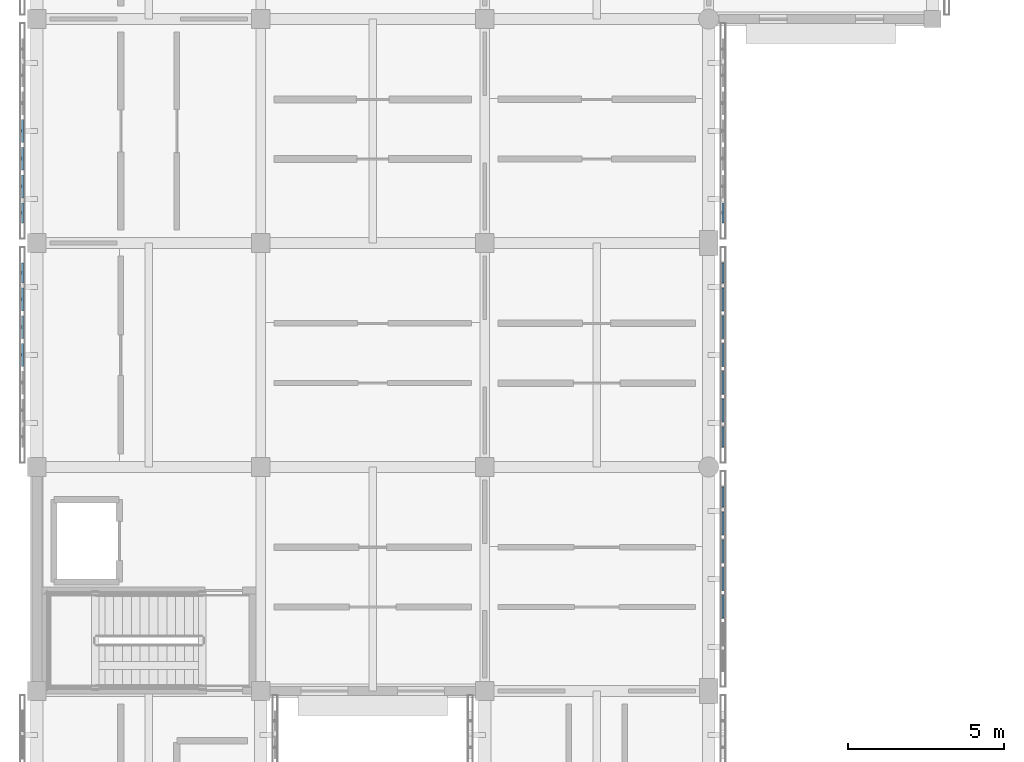
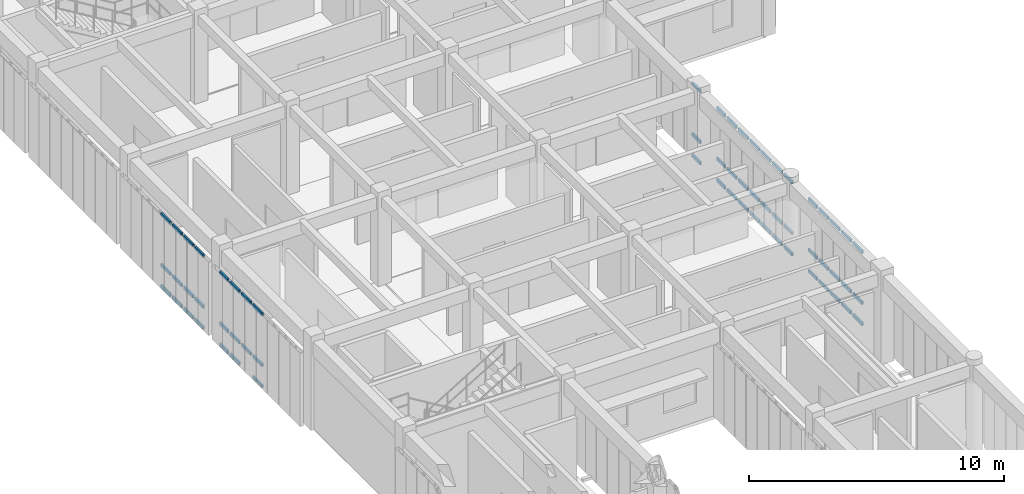
# One storey, part 74 of 171: 62 members, 5 elements without a shape of their own.
"""IFC4 building model written with IfcOpenShell, lengths in metres."""

from ifc_helpers import new_model, si_unit, direction, frame, origin, origin_2d, place, context, subcontext, project, spatial, hollow_rectangle, extrude, material, material_profile, profile_set, type_object, element, aggregate, save


model = new_model("IFC4")

# Units and contexts
model_context = context("Model", 3, precision=1e-05, world=origin(), true_north=direction((0.0, 1.0)))
body_context = subcontext(model_context, "Body", "Model", "MODEL_VIEW")
ifc_project = project(units=[si_unit("LENGTHUNIT", "METRE"), si_unit("AREAUNIT", "SQUARE_METRE"), si_unit("VOLUMEUNIT", "CUBIC_METRE"), si_unit("PLANEANGLEUNIT", "RADIAN"), si_unit("MASSUNIT", "GRAM", prefix="KILO")], contexts=[model_context])

# Site, building, storey
site_placement = place(None, origin())
site = spatial("IfcSite", under=ifc_project, at=site_placement, CompositionType="ELEMENT")
building_placement = place(site_placement, origin())
building = spatial("IfcBuilding", under=site, at=building_placement, Name="Aldebral Square Health Centre", CompositionType="ELEMENT")
storey_placement = place(building_placement, frame((0.0, 0.0, 4.5)))
storey = spatial("IfcBuildingStorey", under=building, at=storey_placement, Name="L01", CompositionType="ELEMENT", Elevation=4.5)

# Curtain wall, members
ifc_material_1 = material(Name="Aluminium and low-E solar glass", Category="aluminium")
curtain_wall_type = type_object("IfcCurtainWallType", Name="CW-FIN-SYS", PredefinedType="USERDEFINED", material=ifc_material_1)
curtain_wall_1_placement = place(storey_placement, origin())
curtain_wall_1 = element("IfcCurtainWall", 1, at=curtain_wall_1_placement, inside=storey, type_object=curtain_wall_type, Name="L01 V6 finned curtain wall L01-V6-00-05-W", ObjectType="SOLAR_CURTAIN_WALL", PredefinedType="USERDEFINED")
ifc_material_2 = material(Name="Anodised aluminium transom", Category="aluminium")
ifc_material_profile = material_profile(ifc_material_2, hollow_rectangle(XDim=0.074951171875, YDim=0.14990234375, WallThickness=0.00390625, at=origin_2d()), Name="CWT 75x150x4")
ifc_profile_set = profile_set([ifc_material_profile], Name="Anodised aluminium transom")
member_type = type_object("IfcMemberType", Name="CWT-STD", PredefinedType="USERDEFINED", material=ifc_profile_set)
member_1_placement = place(storey_placement, frame((-0.4599609375, 42.56005859375, 0.03759765625), z_axis=(0.0, -1.0, 0.0), x_axis=(1.0, 0.0, 0.0)))
member_1 = element("IfcMember", 2, at=member_1_placement, type_object=member_type, Name="CW1 transom 1.1", ObjectType="TRANSOM", PredefinedType="USERDEFINED", context=body_context, shape_type="SweptSolid", body=[
    extrude(hollow_rectangle(XDim=0.074951171875, YDim=0.14990234375, WallThickness=0.00390625, at=origin_2d()), origin(), (0.0, 0.0, 1.0), 0.6513671875),
])
member_2_placement = place(storey_placement, frame((-0.4599609375, 42.56005859375, 1.050048828125), z_axis=(0.0, -1.0, 0.0), x_axis=(1.0, 0.0, 0.0)))
member_2 = element("IfcMember", 3, at=member_2_placement, type_object=member_type, Name="CW1 transom 1.2", ObjectType="TRANSOM", PredefinedType="USERDEFINED", context=body_context, shape_type="SweptSolid", body=[
    extrude(hollow_rectangle(XDim=0.074951171875, YDim=0.14990234375, WallThickness=0.00390625, at=origin_2d()), origin(), (0.0, 0.0, 1.0), 0.6513671875),
])
member_3_placement = place(storey_placement, frame((-0.4599609375, 42.56005859375, 3.482421875), z_axis=(0.0, -1.0, 0.0), x_axis=(1.0, 0.0, 0.0)))
member_3 = element("IfcMember", 4, at=member_3_placement, type_object=member_type, Name="CW1 transom 1.3", ObjectType="TRANSOM", PredefinedType="USERDEFINED", context=body_context, shape_type="SweptSolid", body=[
    extrude(hollow_rectangle(XDim=0.074951171875, YDim=0.14990234375, WallThickness=0.00390625, at=origin_2d()), origin(), (0.0, 0.0, 1.0), 0.6513671875),
])
member_4_placement = place(storey_placement, frame((-0.4599609375, 41.74853515625, 0.03759765625), z_axis=(0.0, -1.0, 0.0), x_axis=(1.0, 0.0, 0.0)))
member_4 = element("IfcMember", 5, at=member_4_placement, type_object=member_type, Name="CW1 transom 2.1", ObjectType="TRANSOM", PredefinedType="USERDEFINED", context=body_context, shape_type="SweptSolid", body=[
    extrude(hollow_rectangle(XDim=0.074951171875, YDim=0.14990234375, WallThickness=0.00390625, at=origin_2d()), origin(), (0.0, 0.0, 1.0), 0.7314453125),
])
member_5_placement = place(storey_placement, frame((-0.4599609375, 41.74853515625, 1.050048828125), z_axis=(0.0, -1.0, 0.0), x_axis=(1.0, 0.0, 0.0)))
member_5 = element("IfcMember", 6, at=member_5_placement, type_object=member_type, Name="CW1 transom 2.2", ObjectType="TRANSOM", PredefinedType="USERDEFINED", context=body_context, shape_type="SweptSolid", body=[
    extrude(hollow_rectangle(XDim=0.074951171875, YDim=0.14990234375, WallThickness=0.00390625, at=origin_2d()), origin(), (0.0, 0.0, 1.0), 0.7314453125),
])
member_6_placement = place(storey_placement, frame((-0.4599609375, 41.74853515625, 3.482421875), z_axis=(0.0, -1.0, 0.0), x_axis=(1.0, 0.0, 0.0)))
member_6 = element("IfcMember", 7, at=member_6_placement, type_object=member_type, Name="CW1 transom 2.3", ObjectType="TRANSOM", PredefinedType="USERDEFINED", context=body_context, shape_type="SweptSolid", body=[
    extrude(hollow_rectangle(XDim=0.074951171875, YDim=0.14990234375, WallThickness=0.00390625, at=origin_2d()), origin(), (0.0, 0.0, 1.0), 0.7314453125),
])
member_7_placement = place(storey_placement, frame((-0.4599609375, 40.857177734375, 1.050048828125), z_axis=(0.0, -1.0, 0.0), x_axis=(1.0, 0.0, 0.0)))
member_7 = element("IfcMember", 8, at=member_7_placement, type_object=member_type, Name="CW1 transom 3.2", ObjectType="TRANSOM", PredefinedType="USERDEFINED", context=body_context, shape_type="SweptSolid", body=[
    extrude(hollow_rectangle(XDim=0.074951171875, YDim=0.14990234375, WallThickness=0.00390625, at=origin_2d()), origin(), (0.0, 0.0, 1.0), 0.7314453125),
])
member_8_placement = place(storey_placement, frame((-0.4599609375, 40.857177734375, 3.482421875), z_axis=(0.0, -1.0, 0.0), x_axis=(1.0, 0.0, 0.0)))
member_8 = element("IfcMember", 9, at=member_8_placement, type_object=member_type, Name="CW1 transom 3.3", ObjectType="TRANSOM", PredefinedType="USERDEFINED", context=body_context, shape_type="SweptSolid", body=[
    extrude(hollow_rectangle(XDim=0.074951171875, YDim=0.14990234375, WallThickness=0.00390625, at=origin_2d()), origin(), (0.0, 0.0, 1.0), 0.7314453125),
])
member_9_placement = place(storey_placement, frame((-0.4599609375, 39.9658203125, 0.03759765625), z_axis=(0.0, -1.0, 0.0), x_axis=(1.0, 0.0, 0.0)))
member_9 = element("IfcMember", 10, at=member_9_placement, type_object=member_type, Name="CW1 transom 4.1", ObjectType="TRANSOM", PredefinedType="USERDEFINED", context=body_context, shape_type="SweptSolid", body=[
    extrude(hollow_rectangle(XDim=0.074951171875, YDim=0.14990234375, WallThickness=0.00390625, at=origin_2d()), origin(), (0.0, 0.0, 1.0), 0.7314453125),
])
member_10_placement = place(storey_placement, frame((-0.4599609375, 39.9658203125, 1.050048828125), z_axis=(0.0, -1.0, 0.0), x_axis=(1.0, 0.0, 0.0)))
member_10 = element("IfcMember", 11, at=member_10_placement, type_object=member_type, Name="CW1 transom 4.2", ObjectType="TRANSOM", PredefinedType="USERDEFINED", context=body_context, shape_type="SweptSolid", body=[
    extrude(hollow_rectangle(XDim=0.074951171875, YDim=0.14990234375, WallThickness=0.00390625, at=origin_2d()), origin(), (0.0, 0.0, 1.0), 0.7314453125),
])
member_11_placement = place(storey_placement, frame((-0.4599609375, 39.9658203125, 3.482421875), z_axis=(0.0, -1.0, 0.0), x_axis=(1.0, 0.0, 0.0)))
member_11 = element("IfcMember", 12, at=member_11_placement, type_object=member_type, Name="CW1 transom 4.3", ObjectType="TRANSOM", PredefinedType="USERDEFINED", context=body_context, shape_type="SweptSolid", body=[
    extrude(hollow_rectangle(XDim=0.074951171875, YDim=0.14990234375, WallThickness=0.00390625, at=origin_2d()), origin(), (0.0, 0.0, 1.0), 0.7314453125),
])
aggregate(curtain_wall_1, [member_1, member_2, member_3, member_4, member_5, member_6, member_7, member_8, member_9, member_10, member_11])

curtain_wall_2_placement = place(storey_placement, origin())
curtain_wall_2 = element("IfcCurtainWall", 13, at=curtain_wall_2_placement, inside=storey, type_object=curtain_wall_type, Name="L01 V6 finned curtain wall L01-V6-00-06-W", ObjectType="SOLAR_CURTAIN_WALL", PredefinedType="USERDEFINED")
member_12_placement = place(storey_placement, frame((-0.4599609375, 47.165771484375, 0.03759765625), z_axis=(0.0, -1.0, 0.0), x_axis=(1.0, 0.0, 0.0)))
member_12 = element("IfcMember", 14, at=member_12_placement, type_object=member_type, Name="CW1 transom 4.1", ObjectType="TRANSOM", PredefinedType="USERDEFINED", context=body_context, shape_type="SweptSolid", body=[
    extrude(hollow_rectangle(XDim=0.074951171875, YDim=0.14990234375, WallThickness=0.00390625, at=origin_2d()), origin(), (0.0, 0.0, 1.0), 0.7314453125),
])
member_13_placement = place(storey_placement, frame((-0.4599609375, 47.165771484375, 1.050048828125), z_axis=(0.0, -1.0, 0.0), x_axis=(1.0, 0.0, 0.0)))
member_13 = element("IfcMember", 15, at=member_13_placement, type_object=member_type, Name="CW1 transom 4.2", ObjectType="TRANSOM", PredefinedType="USERDEFINED", context=body_context, shape_type="SweptSolid", body=[
    extrude(hollow_rectangle(XDim=0.074951171875, YDim=0.14990234375, WallThickness=0.00390625, at=origin_2d()), origin(), (0.0, 0.0, 1.0), 0.7314453125),
])
member_14_placement = place(storey_placement, frame((-0.4599609375, 47.165771484375, 3.482421875), z_axis=(0.0, -1.0, 0.0), x_axis=(1.0, 0.0, 0.0)))
member_14 = element("IfcMember", 16, at=member_14_placement, type_object=member_type, Name="CW1 transom 4.3", ObjectType="TRANSOM", PredefinedType="USERDEFINED", context=body_context, shape_type="SweptSolid", body=[
    extrude(hollow_rectangle(XDim=0.074951171875, YDim=0.14990234375, WallThickness=0.00390625, at=origin_2d()), origin(), (0.0, 0.0, 1.0), 0.7314453125),
])
member_15_placement = place(storey_placement, frame((-0.4599609375, 46.274169921875, 0.03759765625), z_axis=(0.0, -1.0, 0.0), x_axis=(1.0, 0.0, 0.0)))
member_15 = element("IfcMember", 17, at=member_15_placement, type_object=member_type, Name="CW1 transom 5.1", ObjectType="TRANSOM", PredefinedType="USERDEFINED", context=body_context, shape_type="SweptSolid", body=[
    extrude(hollow_rectangle(XDim=0.074951171875, YDim=0.14990234375, WallThickness=0.00390625, at=origin_2d()), origin(), (0.0, 0.0, 1.0), 0.731201171875),
])
member_16_placement = place(storey_placement, frame((-0.4599609375, 46.274169921875, 1.050048828125), z_axis=(0.0, -1.0, 0.0), x_axis=(1.0, 0.0, 0.0)))
member_16 = element("IfcMember", 18, at=member_16_placement, type_object=member_type, Name="CW1 transom 5.2", ObjectType="TRANSOM", PredefinedType="USERDEFINED", context=body_context, shape_type="SweptSolid", body=[
    extrude(hollow_rectangle(XDim=0.074951171875, YDim=0.14990234375, WallThickness=0.00390625, at=origin_2d()), origin(), (0.0, 0.0, 1.0), 0.731201171875),
])
member_17_placement = place(storey_placement, frame((-0.4599609375, 46.274169921875, 3.482421875), z_axis=(0.0, -1.0, 0.0), x_axis=(1.0, 0.0, 0.0)))
member_17 = element("IfcMember", 19, at=member_17_placement, type_object=member_type, Name="CW1 transom 5.3", ObjectType="TRANSOM", PredefinedType="USERDEFINED", context=body_context, shape_type="SweptSolid", body=[
    extrude(hollow_rectangle(XDim=0.074951171875, YDim=0.14990234375, WallThickness=0.00390625, at=origin_2d()), origin(), (0.0, 0.0, 1.0), 0.731201171875),
])
member_18_placement = place(storey_placement, frame((-0.4599609375, 45.3828125, 0.03759765625), z_axis=(0.0, -1.0, 0.0), x_axis=(1.0, 0.0, 0.0)))
member_18 = element("IfcMember", 20, at=member_18_placement, type_object=member_type, Name="CW1 transom 6.1", ObjectType="TRANSOM", PredefinedType="USERDEFINED", context=body_context, shape_type="SweptSolid", body=[
    extrude(hollow_rectangle(XDim=0.074951171875, YDim=0.14990234375, WallThickness=0.00390625, at=origin_2d()), origin(), (0.0, 0.0, 1.0), 0.7314453125),
])
member_19_placement = place(storey_placement, frame((-0.4599609375, 45.3828125, 1.050048828125), z_axis=(0.0, -1.0, 0.0), x_axis=(1.0, 0.0, 0.0)))
member_19 = element("IfcMember", 21, at=member_19_placement, type_object=member_type, Name="CW1 transom 6.2", ObjectType="TRANSOM", PredefinedType="USERDEFINED", context=body_context, shape_type="SweptSolid", body=[
    extrude(hollow_rectangle(XDim=0.074951171875, YDim=0.14990234375, WallThickness=0.00390625, at=origin_2d()), origin(), (0.0, 0.0, 1.0), 0.7314453125),
])
member_20_placement = place(storey_placement, frame((-0.4599609375, 45.3828125, 3.482421875), z_axis=(0.0, -1.0, 0.0), x_axis=(1.0, 0.0, 0.0)))
member_20 = element("IfcMember", 22, at=member_20_placement, type_object=member_type, Name="CW1 transom 6.3", ObjectType="TRANSOM", PredefinedType="USERDEFINED", context=body_context, shape_type="SweptSolid", body=[
    extrude(hollow_rectangle(XDim=0.074951171875, YDim=0.14990234375, WallThickness=0.00390625, at=origin_2d()), origin(), (0.0, 0.0, 1.0), 0.7314453125),
])
member_21_placement = place(storey_placement, frame((-0.4599609375, 44.491455078125, 0.03759765625), z_axis=(0.0, -1.0, 0.0), x_axis=(1.0, 0.0, 0.0)))
member_21 = element("IfcMember", 23, at=member_21_placement, type_object=member_type, Name="CW1 transom 7.1", ObjectType="TRANSOM", PredefinedType="USERDEFINED", context=body_context, shape_type="SweptSolid", body=[
    extrude(hollow_rectangle(XDim=0.074951171875, YDim=0.14990234375, WallThickness=0.00390625, at=origin_2d()), origin(), (0.0, 0.0, 1.0), 0.6513671875),
])
member_22_placement = place(storey_placement, frame((-0.4599609375, 44.491455078125, 1.050048828125), z_axis=(0.0, -1.0, 0.0), x_axis=(1.0, 0.0, 0.0)))
member_22 = element("IfcMember", 24, at=member_22_placement, type_object=member_type, Name="CW1 transom 7.2", ObjectType="TRANSOM", PredefinedType="USERDEFINED", context=body_context, shape_type="SweptSolid", body=[
    extrude(hollow_rectangle(XDim=0.074951171875, YDim=0.14990234375, WallThickness=0.00390625, at=origin_2d()), origin(), (0.0, 0.0, 1.0), 0.6513671875),
])
member_23_placement = place(storey_placement, frame((-0.4599609375, 44.491455078125, 3.482421875), z_axis=(0.0, -1.0, 0.0), x_axis=(1.0, 0.0, 0.0)))
member_23 = element("IfcMember", 25, at=member_23_placement, type_object=member_type, Name="CW1 transom 7.3", ObjectType="TRANSOM", PredefinedType="USERDEFINED", context=body_context, shape_type="SweptSolid", body=[
    extrude(hollow_rectangle(XDim=0.074951171875, YDim=0.14990234375, WallThickness=0.00390625, at=origin_2d()), origin(), (0.0, 0.0, 1.0), 0.6513671875),
])
aggregate(curtain_wall_2, [member_12, member_13, member_14, member_15, member_16, member_17, member_18, member_19, member_20, member_21, member_22, member_23])

curtain_wall_3_placement = place(storey_placement, origin())
curtain_wall_3 = element("IfcCurtainWall", 26, at=curtain_wall_3_placement, inside=storey, type_object=curtain_wall_type, Name="L01 V6 finned curtain wall L01-V6-02-04-E", ObjectType="SOLAR_CURTAIN_WALL", PredefinedType="USERDEFINED")
member_24_placement = place(storey_placement, frame((22.06005859375, 31.142822265625, 0.03759765625), z_axis=(0.0, 1.0, 0.0), x_axis=(-1.0, 0.0, 0.0)))
member_24 = element("IfcMember", 27, at=member_24_placement, type_object=member_type, Name="CW1 transom 3.1", ObjectType="TRANSOM", PredefinedType="USERDEFINED", context=body_context, shape_type="SweptSolid", body=[
    extrude(hollow_rectangle(XDim=0.074951171875, YDim=0.14990234375, WallThickness=0.00390625, at=origin_2d()), origin(), (0.0, 0.0, 1.0), 0.7314453125),
])
member_25_placement = place(storey_placement, frame((22.06005859375, 31.142822265625, 1.050048828125), z_axis=(0.0, 1.0, 0.0), x_axis=(-1.0, 0.0, 0.0)))
member_25 = element("IfcMember", 28, at=member_25_placement, type_object=member_type, Name="CW1 transom 3.2", ObjectType="TRANSOM", PredefinedType="USERDEFINED", context=body_context, shape_type="SweptSolid", body=[
    extrude(hollow_rectangle(XDim=0.074951171875, YDim=0.14990234375, WallThickness=0.00390625, at=origin_2d()), origin(), (0.0, 0.0, 1.0), 0.7314453125),
])
member_26_placement = place(storey_placement, frame((22.06005859375, 31.142822265625, 3.482421875), z_axis=(0.0, 1.0, 0.0), x_axis=(-1.0, 0.0, 0.0)))
member_26 = element("IfcMember", 29, at=member_26_placement, type_object=member_type, Name="CW1 transom 3.3", ObjectType="TRANSOM", PredefinedType="USERDEFINED", context=body_context, shape_type="SweptSolid", body=[
    extrude(hollow_rectangle(XDim=0.074951171875, YDim=0.14990234375, WallThickness=0.00390625, at=origin_2d()), origin(), (0.0, 0.0, 1.0), 0.7314453125),
])
member_27_placement = place(storey_placement, frame((22.06005859375, 32.0341796875, 0.03759765625), z_axis=(0.0, 1.0, 0.0), x_axis=(-1.0, 0.0, 0.0)))
member_27 = element("IfcMember", 30, at=member_27_placement, type_object=member_type, Name="CW1 transom 4.1", ObjectType="TRANSOM", PredefinedType="USERDEFINED", context=body_context, shape_type="SweptSolid", body=[
    extrude(hollow_rectangle(XDim=0.074951171875, YDim=0.14990234375, WallThickness=0.00390625, at=origin_2d()), origin(), (0.0, 0.0, 1.0), 0.7314453125),
])
member_28_placement = place(storey_placement, frame((22.06005859375, 32.0341796875, 1.050048828125), z_axis=(0.0, 1.0, 0.0), x_axis=(-1.0, 0.0, 0.0)))
member_28 = element("IfcMember", 31, at=member_28_placement, type_object=member_type, Name="CW1 transom 4.2", ObjectType="TRANSOM", PredefinedType="USERDEFINED", context=body_context, shape_type="SweptSolid", body=[
    extrude(hollow_rectangle(XDim=0.074951171875, YDim=0.14990234375, WallThickness=0.00390625, at=origin_2d()), origin(), (0.0, 0.0, 1.0), 0.7314453125),
])
member_29_placement = place(storey_placement, frame((22.06005859375, 32.0341796875, 3.482421875), z_axis=(0.0, 1.0, 0.0), x_axis=(-1.0, 0.0, 0.0)))
member_29 = element("IfcMember", 32, at=member_29_placement, type_object=member_type, Name="CW1 transom 4.3", ObjectType="TRANSOM", PredefinedType="USERDEFINED", context=body_context, shape_type="SweptSolid", body=[
    extrude(hollow_rectangle(XDim=0.074951171875, YDim=0.14990234375, WallThickness=0.00390625, at=origin_2d()), origin(), (0.0, 0.0, 1.0), 0.7314453125),
])
member_30_placement = place(storey_placement, frame((22.06005859375, 32.92578125, 0.03759765625), z_axis=(0.0, 1.0, 0.0), x_axis=(-1.0, 0.0, 0.0)))
member_30 = element("IfcMember", 33, at=member_30_placement, type_object=member_type, Name="CW1 transom 5.1", ObjectType="TRANSOM", PredefinedType="USERDEFINED", context=body_context, shape_type="SweptSolid", body=[
    extrude(hollow_rectangle(XDim=0.074951171875, YDim=0.14990234375, WallThickness=0.00390625, at=origin_2d()), origin(), (0.0, 0.0, 1.0), 0.7314453125),
])
member_31_placement = place(storey_placement, frame((22.06005859375, 32.92578125, 1.050048828125), z_axis=(0.0, 1.0, 0.0), x_axis=(-1.0, 0.0, 0.0)))
member_31 = element("IfcMember", 34, at=member_31_placement, type_object=member_type, Name="CW1 transom 5.2", ObjectType="TRANSOM", PredefinedType="USERDEFINED", context=body_context, shape_type="SweptSolid", body=[
    extrude(hollow_rectangle(XDim=0.074951171875, YDim=0.14990234375, WallThickness=0.00390625, at=origin_2d()), origin(), (0.0, 0.0, 1.0), 0.7314453125),
])
member_32_placement = place(storey_placement, frame((22.06005859375, 32.92578125, 3.482421875), z_axis=(0.0, 1.0, 0.0), x_axis=(-1.0, 0.0, 0.0)))
member_32 = element("IfcMember", 35, at=member_32_placement, type_object=member_type, Name="CW1 transom 5.3", ObjectType="TRANSOM", PredefinedType="USERDEFINED", context=body_context, shape_type="SweptSolid", body=[
    extrude(hollow_rectangle(XDim=0.074951171875, YDim=0.14990234375, WallThickness=0.00390625, at=origin_2d()), origin(), (0.0, 0.0, 1.0), 0.7314453125),
])
member_33_placement = place(storey_placement, frame((22.06005859375, 33.817138671875, 0.03759765625), z_axis=(0.0, 1.0, 0.0), x_axis=(-1.0, 0.0, 0.0)))
member_33 = element("IfcMember", 36, at=member_33_placement, type_object=member_type, Name="CW1 transom 6.1", ObjectType="TRANSOM", PredefinedType="USERDEFINED", context=body_context, shape_type="SweptSolid", body=[
    extrude(hollow_rectangle(XDim=0.074951171875, YDim=0.14990234375, WallThickness=0.00390625, at=origin_2d()), origin(), (0.0, 0.0, 1.0), 0.7314453125),
])
member_34_placement = place(storey_placement, frame((22.06005859375, 33.817138671875, 1.050048828125), z_axis=(0.0, 1.0, 0.0), x_axis=(-1.0, 0.0, 0.0)))
member_34 = element("IfcMember", 37, at=member_34_placement, type_object=member_type, Name="CW1 transom 6.2", ObjectType="TRANSOM", PredefinedType="USERDEFINED", context=body_context, shape_type="SweptSolid", body=[
    extrude(hollow_rectangle(XDim=0.074951171875, YDim=0.14990234375, WallThickness=0.00390625, at=origin_2d()), origin(), (0.0, 0.0, 1.0), 0.7314453125),
])
member_35_placement = place(storey_placement, frame((22.06005859375, 33.817138671875, 3.482421875), z_axis=(0.0, 1.0, 0.0), x_axis=(-1.0, 0.0, 0.0)))
member_35 = element("IfcMember", 38, at=member_35_placement, type_object=member_type, Name="CW1 transom 6.3", ObjectType="TRANSOM", PredefinedType="USERDEFINED", context=body_context, shape_type="SweptSolid", body=[
    extrude(hollow_rectangle(XDim=0.074951171875, YDim=0.14990234375, WallThickness=0.00390625, at=origin_2d()), origin(), (0.0, 0.0, 1.0), 0.7314453125),
])
member_36_placement = place(storey_placement, frame((22.06005859375, 34.70849609375, 0.03759765625), z_axis=(0.0, 1.0, 0.0), x_axis=(-1.0, 0.0, 0.0)))
member_36 = element("IfcMember", 39, at=member_36_placement, type_object=member_type, Name="CW1 transom 7.1", ObjectType="TRANSOM", PredefinedType="USERDEFINED", context=body_context, shape_type="SweptSolid", body=[
    extrude(hollow_rectangle(XDim=0.074951171875, YDim=0.14990234375, WallThickness=0.00390625, at=origin_2d()), origin(), (0.0, 0.0, 1.0), 0.651611328125),
])
member_37_placement = place(storey_placement, frame((22.06005859375, 34.70849609375, 1.050048828125), z_axis=(0.0, 1.0, 0.0), x_axis=(-1.0, 0.0, 0.0)))
member_37 = element("IfcMember", 40, at=member_37_placement, type_object=member_type, Name="CW1 transom 7.2", ObjectType="TRANSOM", PredefinedType="USERDEFINED", context=body_context, shape_type="SweptSolid", body=[
    extrude(hollow_rectangle(XDim=0.074951171875, YDim=0.14990234375, WallThickness=0.00390625, at=origin_2d()), origin(), (0.0, 0.0, 1.0), 0.651611328125),
])
member_38_placement = place(storey_placement, frame((22.06005859375, 34.70849609375, 3.482421875), z_axis=(0.0, 1.0, 0.0), x_axis=(-1.0, 0.0, 0.0)))
member_38 = element("IfcMember", 41, at=member_38_placement, type_object=member_type, Name="CW1 transom 7.3", ObjectType="TRANSOM", PredefinedType="USERDEFINED", context=body_context, shape_type="SweptSolid", body=[
    extrude(hollow_rectangle(XDim=0.074951171875, YDim=0.14990234375, WallThickness=0.00390625, at=origin_2d()), origin(), (0.0, 0.0, 1.0), 0.651611328125),
])
aggregate(curtain_wall_3, [member_24, member_25, member_26, member_27, member_28, member_29, member_30, member_31, member_32, member_33, member_34, member_35, member_36, member_37, member_38])

curtain_wall_4_placement = place(storey_placement, origin())
curtain_wall_4 = element("IfcCurtainWall", 42, at=curtain_wall_4_placement, inside=storey, type_object=curtain_wall_type, Name="L01 V6 finned curtain wall L01-V6-02-05-E", ObjectType="SOLAR_CURTAIN_WALL", PredefinedType="USERDEFINED")
member_39_placement = place(storey_placement, frame((22.06005859375, 36.639892578125, 0.03759765625), z_axis=(0.0, 1.0, 0.0), x_axis=(-1.0, 0.0, 0.0)))
member_39 = element("IfcMember", 43, at=member_39_placement, type_object=member_type, Name="CW1 transom 1.1", ObjectType="TRANSOM", PredefinedType="USERDEFINED", context=body_context, shape_type="SweptSolid", body=[
    extrude(hollow_rectangle(XDim=0.074951171875, YDim=0.14990234375, WallThickness=0.00390625, at=origin_2d()), origin(), (0.0, 0.0, 1.0), 0.651611328125),
])
member_40_placement = place(storey_placement, frame((22.06005859375, 36.639892578125, 1.050048828125), z_axis=(0.0, 1.0, 0.0), x_axis=(-1.0, 0.0, 0.0)))
member_40 = element("IfcMember", 44, at=member_40_placement, type_object=member_type, Name="CW1 transom 1.2", ObjectType="TRANSOM", PredefinedType="USERDEFINED", context=body_context, shape_type="SweptSolid", body=[
    extrude(hollow_rectangle(XDim=0.074951171875, YDim=0.14990234375, WallThickness=0.00390625, at=origin_2d()), origin(), (0.0, 0.0, 1.0), 0.651611328125),
])
member_41_placement = place(storey_placement, frame((22.06005859375, 36.639892578125, 3.482421875), z_axis=(0.0, 1.0, 0.0), x_axis=(-1.0, 0.0, 0.0)))
member_41 = element("IfcMember", 45, at=member_41_placement, type_object=member_type, Name="CW1 transom 1.3", ObjectType="TRANSOM", PredefinedType="USERDEFINED", context=body_context, shape_type="SweptSolid", body=[
    extrude(hollow_rectangle(XDim=0.074951171875, YDim=0.14990234375, WallThickness=0.00390625, at=origin_2d()), origin(), (0.0, 0.0, 1.0), 0.651611328125),
])
member_42_placement = place(storey_placement, frame((22.06005859375, 37.451416015625, 0.03759765625), z_axis=(0.0, 1.0, 0.0), x_axis=(-1.0, 0.0, 0.0)))
member_42 = element("IfcMember", 46, at=member_42_placement, type_object=member_type, Name="CW1 transom 2.1", ObjectType="TRANSOM", PredefinedType="USERDEFINED", context=body_context, shape_type="SweptSolid", body=[
    extrude(hollow_rectangle(XDim=0.074951171875, YDim=0.14990234375, WallThickness=0.00390625, at=origin_2d()), origin(), (0.0, 0.0, 1.0), 0.7314453125),
])
member_43_placement = place(storey_placement, frame((22.06005859375, 37.451416015625, 1.050048828125), z_axis=(0.0, 1.0, 0.0), x_axis=(-1.0, 0.0, 0.0)))
member_43 = element("IfcMember", 47, at=member_43_placement, type_object=member_type, Name="CW1 transom 2.2", ObjectType="TRANSOM", PredefinedType="USERDEFINED", context=body_context, shape_type="SweptSolid", body=[
    extrude(hollow_rectangle(XDim=0.074951171875, YDim=0.14990234375, WallThickness=0.00390625, at=origin_2d()), origin(), (0.0, 0.0, 1.0), 0.7314453125),
])
member_44_placement = place(storey_placement, frame((22.06005859375, 37.451416015625, 3.482421875), z_axis=(0.0, 1.0, 0.0), x_axis=(-1.0, 0.0, 0.0)))
member_44 = element("IfcMember", 48, at=member_44_placement, type_object=member_type, Name="CW1 transom 2.3", ObjectType="TRANSOM", PredefinedType="USERDEFINED", context=body_context, shape_type="SweptSolid", body=[
    extrude(hollow_rectangle(XDim=0.074951171875, YDim=0.14990234375, WallThickness=0.00390625, at=origin_2d()), origin(), (0.0, 0.0, 1.0), 0.7314453125),
])
member_45_placement = place(storey_placement, frame((22.06005859375, 38.3427734375, 0.03759765625), z_axis=(0.0, 1.0, 0.0), x_axis=(-1.0, 0.0, 0.0)))
member_45 = element("IfcMember", 49, at=member_45_placement, type_object=member_type, Name="CW1 transom 3.1", ObjectType="TRANSOM", PredefinedType="USERDEFINED", context=body_context, shape_type="SweptSolid", body=[
    extrude(hollow_rectangle(XDim=0.074951171875, YDim=0.14990234375, WallThickness=0.00390625, at=origin_2d()), origin(), (0.0, 0.0, 1.0), 0.7314453125),
])
member_46_placement = place(storey_placement, frame((22.06005859375, 38.3427734375, 1.050048828125), z_axis=(0.0, 1.0, 0.0), x_axis=(-1.0, 0.0, 0.0)))
member_46 = element("IfcMember", 50, at=member_46_placement, type_object=member_type, Name="CW1 transom 3.2", ObjectType="TRANSOM", PredefinedType="USERDEFINED", context=body_context, shape_type="SweptSolid", body=[
    extrude(hollow_rectangle(XDim=0.074951171875, YDim=0.14990234375, WallThickness=0.00390625, at=origin_2d()), origin(), (0.0, 0.0, 1.0), 0.7314453125),
])
member_47_placement = place(storey_placement, frame((22.06005859375, 38.3427734375, 3.482421875), z_axis=(0.0, 1.0, 0.0), x_axis=(-1.0, 0.0, 0.0)))
member_47 = element("IfcMember", 51, at=member_47_placement, type_object=member_type, Name="CW1 transom 3.3", ObjectType="TRANSOM", PredefinedType="USERDEFINED", context=body_context, shape_type="SweptSolid", body=[
    extrude(hollow_rectangle(XDim=0.074951171875, YDim=0.14990234375, WallThickness=0.00390625, at=origin_2d()), origin(), (0.0, 0.0, 1.0), 0.7314453125),
])
member_48_placement = place(storey_placement, frame((22.06005859375, 39.234375, 0.03759765625), z_axis=(0.0, 1.0, 0.0), x_axis=(-1.0, 0.0, 0.0)))
member_48 = element("IfcMember", 52, at=member_48_placement, type_object=member_type, Name="CW1 transom 4.1", ObjectType="TRANSOM", PredefinedType="USERDEFINED", context=body_context, shape_type="SweptSolid", body=[
    extrude(hollow_rectangle(XDim=0.074951171875, YDim=0.14990234375, WallThickness=0.00390625, at=origin_2d()), origin(), (0.0, 0.0, 1.0), 0.7314453125),
])
member_49_placement = place(storey_placement, frame((22.06005859375, 39.234375, 1.050048828125), z_axis=(0.0, 1.0, 0.0), x_axis=(-1.0, 0.0, 0.0)))
member_49 = element("IfcMember", 53, at=member_49_placement, type_object=member_type, Name="CW1 transom 4.2", ObjectType="TRANSOM", PredefinedType="USERDEFINED", context=body_context, shape_type="SweptSolid", body=[
    extrude(hollow_rectangle(XDim=0.074951171875, YDim=0.14990234375, WallThickness=0.00390625, at=origin_2d()), origin(), (0.0, 0.0, 1.0), 0.7314453125),
])
member_50_placement = place(storey_placement, frame((22.06005859375, 39.234375, 3.482421875), z_axis=(0.0, 1.0, 0.0), x_axis=(-1.0, 0.0, 0.0)))
member_50 = element("IfcMember", 54, at=member_50_placement, type_object=member_type, Name="CW1 transom 4.3", ObjectType="TRANSOM", PredefinedType="USERDEFINED", context=body_context, shape_type="SweptSolid", body=[
    extrude(hollow_rectangle(XDim=0.074951171875, YDim=0.14990234375, WallThickness=0.00390625, at=origin_2d()), origin(), (0.0, 0.0, 1.0), 0.7314453125),
])
member_51_placement = place(storey_placement, frame((22.06005859375, 40.125732421875, 0.03759765625), z_axis=(0.0, 1.0, 0.0), x_axis=(-1.0, 0.0, 0.0)))
member_51 = element("IfcMember", 55, at=member_51_placement, type_object=member_type, Name="CW1 transom 5.1", ObjectType="TRANSOM", PredefinedType="USERDEFINED", context=body_context, shape_type="SweptSolid", body=[
    extrude(hollow_rectangle(XDim=0.074951171875, YDim=0.14990234375, WallThickness=0.00390625, at=origin_2d()), origin(), (0.0, 0.0, 1.0), 0.7314453125),
])
member_52_placement = place(storey_placement, frame((22.06005859375, 40.125732421875, 1.050048828125), z_axis=(0.0, 1.0, 0.0), x_axis=(-1.0, 0.0, 0.0)))
member_52 = element("IfcMember", 56, at=member_52_placement, type_object=member_type, Name="CW1 transom 5.2", ObjectType="TRANSOM", PredefinedType="USERDEFINED", context=body_context, shape_type="SweptSolid", body=[
    extrude(hollow_rectangle(XDim=0.074951171875, YDim=0.14990234375, WallThickness=0.00390625, at=origin_2d()), origin(), (0.0, 0.0, 1.0), 0.7314453125),
])
member_53_placement = place(storey_placement, frame((22.06005859375, 40.125732421875, 3.482421875), z_axis=(0.0, 1.0, 0.0), x_axis=(-1.0, 0.0, 0.0)))
member_53 = element("IfcMember", 57, at=member_53_placement, type_object=member_type, Name="CW1 transom 5.3", ObjectType="TRANSOM", PredefinedType="USERDEFINED", context=body_context, shape_type="SweptSolid", body=[
    extrude(hollow_rectangle(XDim=0.074951171875, YDim=0.14990234375, WallThickness=0.00390625, at=origin_2d()), origin(), (0.0, 0.0, 1.0), 0.7314453125),
])
member_54_placement = place(storey_placement, frame((22.06005859375, 41.01708984375, 0.03759765625), z_axis=(0.0, 1.0, 0.0), x_axis=(-1.0, 0.0, 0.0)))
member_54 = element("IfcMember", 58, at=member_54_placement, type_object=member_type, Name="CW1 transom 6.1", ObjectType="TRANSOM", PredefinedType="USERDEFINED", context=body_context, shape_type="SweptSolid", body=[
    extrude(hollow_rectangle(XDim=0.074951171875, YDim=0.14990234375, WallThickness=0.00390625, at=origin_2d()), origin(), (0.0, 0.0, 1.0), 0.7314453125),
])
member_55_placement = place(storey_placement, frame((22.06005859375, 41.01708984375, 1.050048828125), z_axis=(0.0, 1.0, 0.0), x_axis=(-1.0, 0.0, 0.0)))
member_55 = element("IfcMember", 59, at=member_55_placement, type_object=member_type, Name="CW1 transom 6.2", ObjectType="TRANSOM", PredefinedType="USERDEFINED", context=body_context, shape_type="SweptSolid", body=[
    extrude(hollow_rectangle(XDim=0.074951171875, YDim=0.14990234375, WallThickness=0.00390625, at=origin_2d()), origin(), (0.0, 0.0, 1.0), 0.7314453125),
])
member_56_placement = place(storey_placement, frame((22.06005859375, 41.01708984375, 3.482421875), z_axis=(0.0, 1.0, 0.0), x_axis=(-1.0, 0.0, 0.0)))
member_56 = element("IfcMember", 60, at=member_56_placement, type_object=member_type, Name="CW1 transom 6.3", ObjectType="TRANSOM", PredefinedType="USERDEFINED", context=body_context, shape_type="SweptSolid", body=[
    extrude(hollow_rectangle(XDim=0.074951171875, YDim=0.14990234375, WallThickness=0.00390625, at=origin_2d()), origin(), (0.0, 0.0, 1.0), 0.7314453125),
])
member_57_placement = place(storey_placement, frame((22.06005859375, 41.90869140625, 0.03759765625), z_axis=(0.0, 1.0, 0.0), x_axis=(-1.0, 0.0, 0.0)))
member_57 = element("IfcMember", 61, at=member_57_placement, type_object=member_type, Name="CW1 transom 7.1", ObjectType="TRANSOM", PredefinedType="USERDEFINED", context=body_context, shape_type="SweptSolid", body=[
    extrude(hollow_rectangle(XDim=0.074951171875, YDim=0.14990234375, WallThickness=0.00390625, at=origin_2d()), origin(), (0.0, 0.0, 1.0), 0.6513671875),
])
member_58_placement = place(storey_placement, frame((22.06005859375, 41.90869140625, 1.050048828125), z_axis=(0.0, 1.0, 0.0), x_axis=(-1.0, 0.0, 0.0)))
member_58 = element("IfcMember", 62, at=member_58_placement, type_object=member_type, Name="CW1 transom 7.2", ObjectType="TRANSOM", PredefinedType="USERDEFINED", context=body_context, shape_type="SweptSolid", body=[
    extrude(hollow_rectangle(XDim=0.074951171875, YDim=0.14990234375, WallThickness=0.00390625, at=origin_2d()), origin(), (0.0, 0.0, 1.0), 0.6513671875),
])
member_59_placement = place(storey_placement, frame((22.06005859375, 41.90869140625, 3.482421875), z_axis=(0.0, 1.0, 0.0), x_axis=(-1.0, 0.0, 0.0)))
member_59 = element("IfcMember", 63, at=member_59_placement, type_object=member_type, Name="CW1 transom 7.3", ObjectType="TRANSOM", PredefinedType="USERDEFINED", context=body_context, shape_type="SweptSolid", body=[
    extrude(hollow_rectangle(XDim=0.074951171875, YDim=0.14990234375, WallThickness=0.00390625, at=origin_2d()), origin(), (0.0, 0.0, 1.0), 0.6513671875),
])
aggregate(curtain_wall_4, [member_39, member_40, member_41, member_42, member_43, member_44, member_45, member_46, member_47, member_48, member_49, member_50, member_51, member_52, member_53, member_54, member_55, member_56, member_57, member_58, member_59])

curtain_wall_5_placement = place(storey_placement, origin())
curtain_wall_5 = element("IfcCurtainWall", 64, at=curtain_wall_5_placement, inside=storey, type_object=curtain_wall_type, Name="L01 V6 finned curtain wall L01-V6-02-06-E", ObjectType="SOLAR_CURTAIN_WALL", PredefinedType="USERDEFINED")
member_60_placement = place(storey_placement, frame((22.06005859375, 43.840087890625, 0.03759765625), z_axis=(0.0, 1.0, 0.0), x_axis=(-1.0, 0.0, 0.0)))
member_60 = element("IfcMember", 65, at=member_60_placement, type_object=member_type, Name="CW1 transom 1.1", ObjectType="TRANSOM", PredefinedType="USERDEFINED", context=body_context, shape_type="SweptSolid", body=[
    extrude(hollow_rectangle(XDim=0.074951171875, YDim=0.14990234375, WallThickness=0.00390625, at=origin_2d()), origin(), (0.0, 0.0, 1.0), 0.6513671875),
])
member_61_placement = place(storey_placement, frame((22.06005859375, 43.840087890625, 1.050048828125), z_axis=(0.0, 1.0, 0.0), x_axis=(-1.0, 0.0, 0.0)))
member_61 = element("IfcMember", 66, at=member_61_placement, type_object=member_type, Name="CW1 transom 1.2", ObjectType="TRANSOM", PredefinedType="USERDEFINED", context=body_context, shape_type="SweptSolid", body=[
    extrude(hollow_rectangle(XDim=0.074951171875, YDim=0.14990234375, WallThickness=0.00390625, at=origin_2d()), origin(), (0.0, 0.0, 1.0), 0.6513671875),
])
member_62_placement = place(storey_placement, frame((22.06005859375, 43.840087890625, 3.482421875), z_axis=(0.0, 1.0, 0.0), x_axis=(-1.0, 0.0, 0.0)))
member_62 = element("IfcMember", 67, at=member_62_placement, type_object=member_type, Name="CW1 transom 1.3", ObjectType="TRANSOM", PredefinedType="USERDEFINED", context=body_context, shape_type="SweptSolid", body=[
    extrude(hollow_rectangle(XDim=0.074951171875, YDim=0.14990234375, WallThickness=0.00390625, at=origin_2d()), origin(), (0.0, 0.0, 1.0), 0.6513671875),
])
aggregate(curtain_wall_5, [member_60, member_61, member_62])

save(model, "model.ifc")
